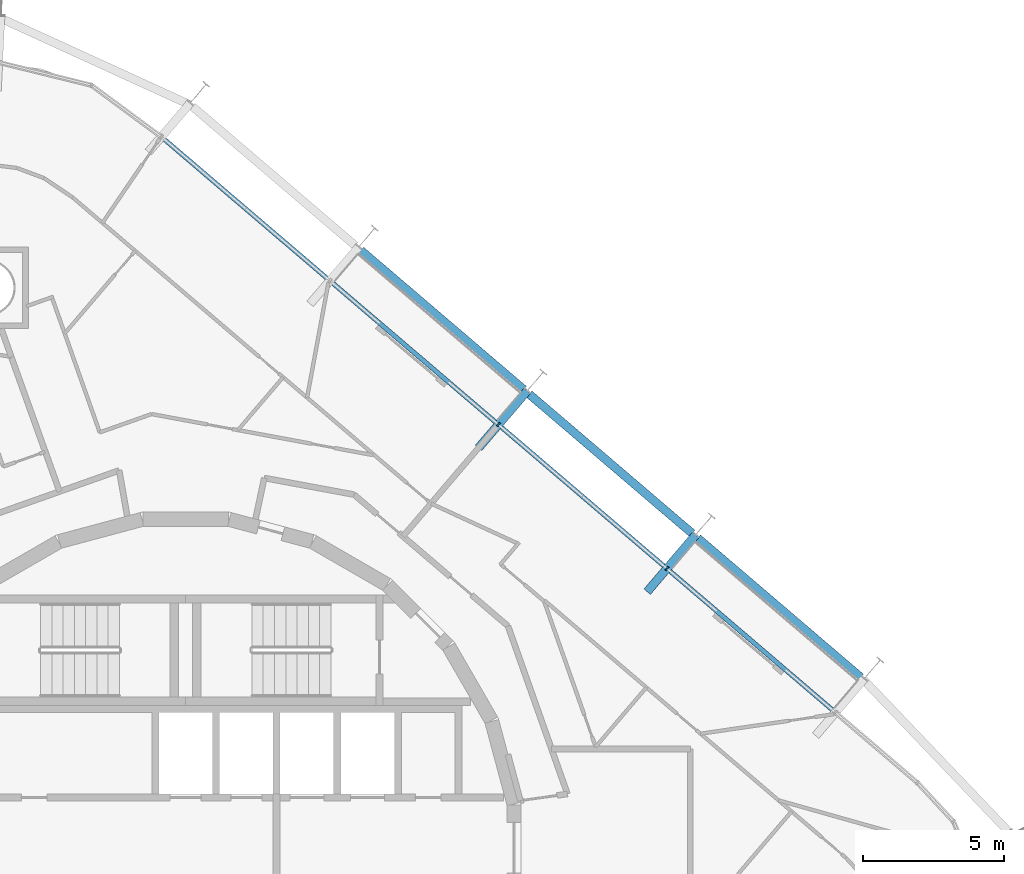
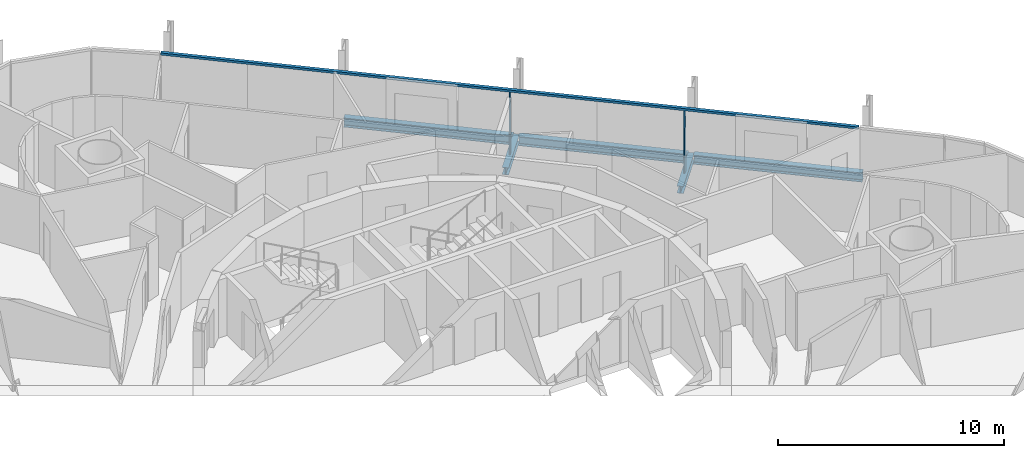
# One storey, part 8 of 17: 5 beams, 3 members, 1 element without a shape of its own.
"""IFC4 building model written with IfcOpenShell, lengths in metres."""

from ifc_helpers import new_model, si_unit, direction, frame, origin, origin_2d, place, context, subcontext, project, spatial, rectangle, i_section, extrude, material, layer, layer_set, material_profile, profile_set, type_object, element, aggregate, save


model = new_model("IFC4")

# Units and contexts
model_context = context("Model", 3, precision=1e-05, world=origin(), true_north=direction((0.0, 1.0)))
body_context = subcontext(model_context, "Body", "Model", "MODEL_VIEW")
ifc_project = project(units=[si_unit("LENGTHUNIT", "METRE"), si_unit("AREAUNIT", "SQUARE_METRE"), si_unit("VOLUMEUNIT", "CUBIC_METRE"), si_unit("PLANEANGLEUNIT", "RADIAN"), si_unit("MASSUNIT", "GRAM", prefix="KILO")], contexts=[model_context])

# Site, building, storey
site_placement = place(None, origin())
site = spatial("IfcSite", under=ifc_project, at=site_placement, CompositionType="ELEMENT")
building_placement = place(site_placement, origin())
building = spatial("IfcBuilding", under=site, at=building_placement, Name="Spindle Arch Residences", CompositionType="ELEMENT")
storey_placement = place(building_placement, frame((0.0, 0.0, 155.199951171875)))
storey = spatial("IfcBuildingStorey", under=building, at=storey_placement, Name="L38", CompositionType="ELEMENT", Elevation=155.199951171875)

# Curtain wall, members
ifc_material_1 = material(Name="Aluminium bronze unitised frame with tinted glass", Category="aluminium")
ifc_layer = layer(ifc_material_1, 0.159912109375)
ifc_layer_set = layer_set([ifc_layer], Name="CW-C typical residential unitised wall")
curtain_wall_type = type_object("IfcCurtainWallType", Name="CW-C typical residential unitised wall", PredefinedType="NOTDEFINED", material=ifc_layer_set)
curtain_wall_placement = place(storey_placement, origin())
curtain_wall = element("IfcCurtainWall", 1, at=curtain_wall_placement, inside=storey, type_object=curtain_wall_type, Name="CW-C L38 run 2", PredefinedType="NOTDEFINED")
ifc_material_2 = material(Name="Aluminium bronze anodised mullion", Category="aluminium")
ifc_material_profile_1 = material_profile(ifc_material_2, rectangle(XDim=0.159912109375, YDim=0.06005859375, at=origin_2d()), Name="MU 60x160")
ifc_profile_set_1 = profile_set([ifc_material_profile_1], Name="Aluminium bronze anodised mullion")
member_type_1 = type_object("IfcMemberType", Name="Bronze mullion 60x160", PredefinedType="MULLION", material=ifc_profile_set_1)
member_1_placement = place(storey_placement, frame((17.06884765625, 9.8994140625, -0.3798828125), z_axis=(0.0, 0.0, 1.0), x_axis=(-0.64944804833, -0.7604059656, 0.0)))
member_1 = element("IfcMember", 2, at=member_1_placement, type_object=member_type_1, Name="CW-C mullion 06", PredefinedType="MULLION", context=body_context, shape_type="SweptSolid", body=[
    extrude(rectangle(XDim=0.159912109375, YDim=0.06005859375, at=origin_2d()), origin(), (0.0, 0.0, 1.0), 3.3798828125),
])
member_2_placement = place(storey_placement, frame((11.092041015625, 15.004150390625, -0.3798828125), z_axis=(0.0, 0.0, 1.0), x_axis=(-0.64944804833, -0.7604059656, 0.0)))
member_2 = element("IfcMember", 3, at=member_2_placement, type_object=member_type_1, Name="CW-C mullion 07", PredefinedType="MULLION", context=body_context, shape_type="SweptSolid", body=[
    extrude(rectangle(XDim=0.159912109375, YDim=0.06005859375, at=origin_2d()), origin(), (0.0, 0.0, 1.0), 3.3798828125),
])
ifc_material_3 = material(Name="Aluminium bronze anodised transom", Category="aluminium")
ifc_material_profile_2 = material_profile(ifc_material_3, rectangle(XDim=0.159912109375, YDim=0.1201171875, at=origin_2d()), Name="TR 120x160")
ifc_profile_set_2 = profile_set([ifc_material_profile_2], Name="Aluminium bronze anodised transom")
member_type_2 = type_object("IfcMemberType", Name="Bronze transom 120x160", PredefinedType="USERDEFINED", material=ifc_profile_set_2)
member_3_placement = place(storey_placement, frame((23.02294921875, 4.814208984375, 3.06005859375), z_axis=(-0.760406495952, 0.649447427368, 0.0), x_axis=(-0.649447427368, -0.760406495952, 0.0)))
member_3 = element("IfcMember", 4, at=member_3_placement, type_object=member_type_2, Name="CW-C transom 00", ObjectType="TRANSOM", PredefinedType="USERDEFINED", context=body_context, shape_type="SweptSolid", body=[
    extrude(rectangle(XDim=0.159912109375, YDim=0.1201171875, at=origin_2d()), origin(), (0.0, 0.0, 1.0), 31.38037109375),
])
aggregate(curtain_wall, [member_3, member_1, member_2])

# Beams
ifc_material_4 = material(Name="Steel S460ML, intumescent coating R 120", Category="steel")
ifc_material_profile_3 = material_profile(ifc_material_4, i_section(OverallWidth=0.300048828125, OverallDepth=0.5, WebThickness=0.014404296875, FlangeThickness=0.028076171875, FilletRadius=0.027099609375, at=origin_2d()), Name="HEB 500")
ifc_profile_set_3 = profile_set([ifc_material_profile_3], Name="Steel S460ML, intumescent coating R 120")
beam_type_1 = type_object("IfcBeamType", Name="Exoskeleton edge beam HEB 500", PredefinedType="BEAM", material=ifc_profile_set_3)
for number, where, z_axis, x_axis, name in (
    (5, (23.9404296875, 6.04248046875, -0.6298828125), (-0.760389211598, 0.649467664234, 0.0), (-0.649467664234, -0.760389211598, 0.0), "Exoskeleton edge beam 6"),
    (6, (17.963623046875, 11.147216796875, -0.6298828125), (-0.760389211598, 0.649467664234, 0.0), (-0.649467664234, -0.760389211598, 0.0), "Exoskeleton edge beam 7"),
):
    element("IfcBeam", number, at=place(storey_placement, frame(where, z_axis=z_axis, x_axis=x_axis)), inside=storey, type_object=beam_type_1, Name=name, PredefinedType="BEAM", context=body_context, shape_type="SweptSolid", body=[
        extrude(i_section(OverallWidth=0.300048828125, OverallDepth=0.5, WebThickness=0.014404296875, FlangeThickness=0.028076171875, FilletRadius=0.027099609375, at=origin_2d()), origin(), (0.0, 0.0, 1.0), 7.60009765625),
    ])
beam_placement = place(storey_placement, frame((11.98681640625, 16.251953125, -0.6298828125), z_axis=(-0.760402760949, 0.649451800476, 0.0), x_axis=(-0.649451800476, -0.760402760949, 0.0)))
element("IfcBeam", 7, at=beam_placement, inside=storey, type_object=beam_type_1, Name="Exoskeleton edge beam 8", PredefinedType="BEAM", context=body_context, shape_type="SweptSolid", body=[
    extrude(i_section(OverallWidth=0.300048828125, OverallDepth=0.5, WebThickness=0.014404296875, FlangeThickness=0.028076171875, FilletRadius=0.027099609375, at=origin_2d()), origin(), (0.0, 0.0, 1.0), 7.600341796875),
])
ifc_material_5 = material(Name="Steel S460ML, intumescent coating R 120", Category="steel")
ifc_material_profile_4 = material_profile(ifc_material_5, i_section(OverallWidth=0.300048828125, OverallDepth=0.389892578125, WebThickness=0.010986328125, FlangeThickness=0.01904296875, FilletRadius=0.027099609375, at=origin_2d()), Name="HEA 400")
ifc_profile_set_4 = profile_set([ifc_material_profile_4], Name="Steel S460ML, intumescent coating R 120")
beam_type_2 = type_object("IfcBeamType", Name="Floor outrigger HEA 400", PredefinedType="BEAM", material=ifc_profile_set_4)
for number, where, z_axis, x_axis, name in (
    (8, (18.08837890625, 11.09326171875, -0.574951171875), (-0.64941704551, -0.760432443417, 0.0), (0.760432443417, -0.64941704551, 0.0), "Floor outrigger 7"),
    (9, (12.111572265625, 16.197998046875, -0.574951171875), (-0.64941704551, -0.760432443417, 0.0), (0.760432443417, -0.64941704551, 0.0), "Floor outrigger 8"),
):
    element("IfcBeam", number, at=place(storey_placement, frame(where, z_axis=z_axis, x_axis=x_axis)), inside=storey, type_object=beam_type_2, Name=name, PredefinedType="BEAM", context=body_context, shape_type="SweptSolid", body=[
        extrude(i_section(OverallWidth=0.300048828125, OverallDepth=0.389892578125, WebThickness=0.010986328125, FlangeThickness=0.01904296875, FilletRadius=0.027099609375, at=origin_2d()), origin(), (0.0, 0.0, 1.0), 2.64990234375),
    ])

save(model, "model.ifc")
